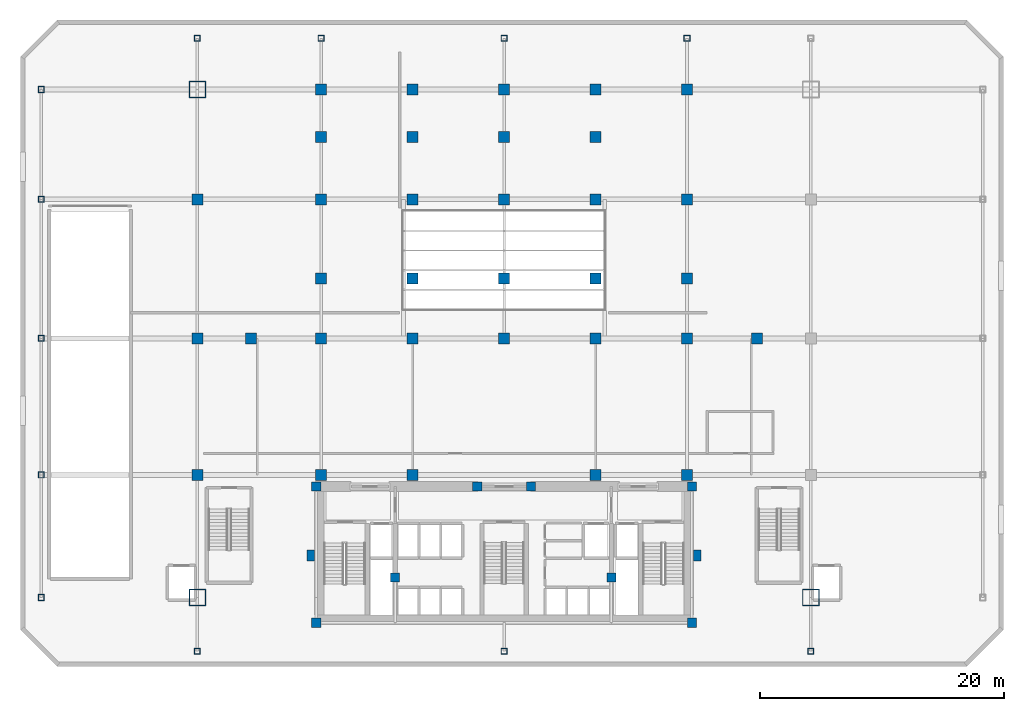
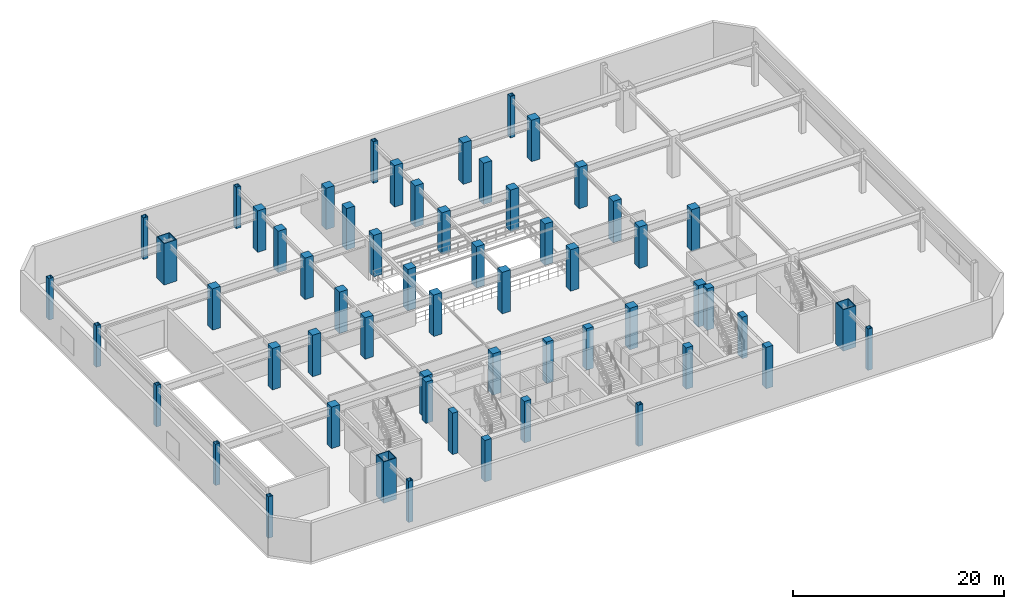
# One storey, part 1 of 10: 58 columns.
"""IFC4 building model written with IfcOpenShell, lengths in metres."""

from ifc_helpers import new_model, si_unit, direction, frame, origin, origin_2d, place, context, subcontext, project, spatial, rectangle, hollow_rectangle, extrude, material, material_profile, profile_set, type_object, element, save


model = new_model("IFC4")

# Units and contexts
model_context = context("Model", 3, precision=1e-05, world=origin(), true_north=direction((0.0, 1.0)))
body_context = subcontext(model_context, "Body", "Model", "MODEL_VIEW")
ifc_project = project(units=[si_unit("LENGTHUNIT", "METRE"), si_unit("AREAUNIT", "SQUARE_METRE"), si_unit("VOLUMEUNIT", "CUBIC_METRE"), si_unit("PLANEANGLEUNIT", "RADIAN"), si_unit("MASSUNIT", "GRAM", prefix="KILO")], contexts=[model_context])

# Site, building, storey
site_placement = place(None, origin())
site = spatial("IfcSite", under=ifc_project, at=site_placement, CompositionType="ELEMENT")
building_placement = place(site_placement, origin())
building = spatial("IfcBuilding", under=site, at=building_placement, Name="Ventersveld Concourse Tower", CompositionType="ELEMENT")
storey_placement = place(building_placement, frame((0.0, 0.0, 15.0)))
storey = spatial("IfcBuildingStorey", under=building, at=storey_placement, Name="L03", CompositionType="ELEMENT", Elevation=15.0)

# Columns
ifc_material_1 = material(Name="Structural steel S355ML", Category="steel")
ifc_material_profile_1 = material_profile(ifc_material_1, hollow_rectangle(XDim=0.5, YDim=0.5, WallThickness=0.031982421875, at=origin_2d()), Name="BOX 500x500x32")
ifc_profile_set_1 = profile_set([ifc_material_profile_1], Name="Structural steel S355ML")
column_type_1 = type_object("IfcColumnType", Name="COL-BOX500", PredefinedType="COLUMN", material=ifc_profile_set_1)
for number, where, z_axis, x_axis, name in (
    (1, (-9.199951171875, 2.35009765625, 0.0), (0.0, 0.0, 1.0), (1.0, 0.0, 0.0), "L03 Podium Perimeter Column 01"),
    (2, (-9.199951171875, 12.39990234375, 0.0), (0.0, 0.0, 1.0), (1.0, 0.0, 0.0), "L03 Podium Perimeter Column 02"),
    (3, (-9.199951171875, 23.60009765625, 0.0), (0.0, 0.0, 1.0), (1.0, 0.0, 0.0), "L03 Podium Perimeter Column 03"),
    (4, (-9.199951171875, 35.0, 0.0), (0.0, 0.0, 1.0), (1.0, 0.0, 0.0), "L03 Podium Perimeter Column 04"),
    (5, (-9.199951171875, 44.0, 0.0), (0.0, 0.0, 1.0), (1.0, 0.0, 0.0), "L03 Podium Perimeter Column 05"),
    (6, (3.60009765625, 48.199951171875, 0.0), (0.0, 0.0, 1.0), (1.0, 0.0, 0.0), "L03 Podium Perimeter Column 11"),
    (7, (13.75, 48.199951171875, 0.0), (0.0, 0.0, 1.0), (1.0, 0.0, 0.0), "L03 Podium Perimeter Column 12"),
    (8, (28.75, 48.199951171875, 0.0), (0.0, 0.0, 1.0), (1.0, 0.0, 0.0), "L03 Podium Perimeter Column 13"),
    (9, (43.75, 48.199951171875, 0.0), (0.0, 0.0, 1.0), (1.0, 0.0, 0.0), "L03 Podium Perimeter Column 14"),
    (10, (3.60009765625, -2.050048828125, 0.0), (0.0, 0.0, 1.0), (1.0, 0.0, 0.0), "L03 Podium Perimeter Column 16"),
    (11, (28.75, -2.050048828125, 0.0), (0.0, 0.0, 1.0), (1.0, 0.0, 0.0), "L03 Podium Perimeter Column 17"),
    (12, (53.89990234375, -2.050048828125, 0.0), (0.0, 0.0, 1.0), (1.0, 0.0, 0.0), "L03 Podium Perimeter Column 18"),
):
    element("IfcColumn", number, at=place(storey_placement, frame(where, z_axis=z_axis, x_axis=x_axis)), inside=storey, type_object=column_type_1, Name=name, PredefinedType="COLUMN", context=body_context, shape_type="SweptSolid", body=[
        extrude(hollow_rectangle(XDim=0.5, YDim=0.5, WallThickness=0.031982421875, at=origin_2d()), origin(), (0.0, 0.0, 1.0), 4.800048828125),
    ])
ifc_material_2 = material(Name="Concrete C50/60", Category="concrete")
ifc_material_profile_2 = material_profile(ifc_material_2, rectangle(XDim=0.75, YDim=0.75, at=origin_2d()), Name="RC 750x750")
ifc_profile_set_2 = profile_set([ifc_material_profile_2], Name="Concrete C50/60")
column_type_2 = type_object("IfcColumnType", Name="COL-RC750", PredefinedType="COLUMN", material=ifc_profile_set_2)
for number, where, z_axis, x_axis, name in (
    (13, (13.35009765625, 0.280029296875, 0.0), (0.0, 0.0, 1.0), (1.0, 0.0, 0.0), "L03 Core Spine Column CC-SW"),
    (14, (44.14990234375, 0.280029296875, 0.0), (0.0, 0.0, 1.0), (1.0, 0.0, 0.0), "L03 Core Spine Column CC-SE"),
    (15, (13.35009765625, 11.449951171875, 0.0), (0.0, 0.0, 1.0), (1.0, 0.0, 0.0), "L03 Core Spine Column CC-NW"),
    (16, (44.14990234375, 11.449951171875, 0.0), (0.0, 0.0, 1.0), (1.0, 0.0, 0.0), "L03 Core Spine Column CC-NE"),
    (17, (19.820068359375, 4.0, 0.0), (0.0, 0.0, 1.0), (1.0, 0.0, 0.0), "L03 Core Spine Column CM-1"),
    (18, (37.550048828125, 4.0, 0.0), (0.0, 0.0, 1.0), (1.0, 0.0, 0.0), "L03 Core Spine Column CM-2"),
    (19, (26.550048828125, 11.449951171875, 0.0), (0.0, 0.0, 1.0), (1.0, 0.0, 0.0), "L03 Core Spine Column CM-3"),
    (20, (30.949951171875, 11.449951171875, 0.0), (0.0, 0.0, 1.0), (1.0, 0.0, 0.0), "L03 Core Spine Column CM-4"),
):
    element("IfcColumn", number, at=place(storey_placement, frame(where, z_axis=z_axis, x_axis=x_axis)), inside=storey, type_object=column_type_2, Name=name, PredefinedType="COLUMN", context=body_context, shape_type="SweptSolid", body=[
        extrude(rectangle(XDim=0.75, YDim=0.75, at=origin_2d()), origin(), (0.0, 0.0, 1.0), 4.800048828125),
    ])
ifc_material_3 = material(Name="Concrete C60/75", Category="concrete")
ifc_material_profile_3 = material_profile(ifc_material_3, rectangle(XDim=0.89990234375, YDim=0.89990234375, at=origin_2d()), Name="RC 900x900")
ifc_profile_set_3 = profile_set([ifc_material_profile_3], Name="Concrete C60/75")
column_type_3 = type_object("IfcColumnType", Name="COL-RC900", PredefinedType="COLUMN", material=ifc_profile_set_3)
for number, where, z_axis, x_axis, name in (
    (21, (3.60009765625, 12.39990234375, 0.0), (0.0, 0.0, 1.0), (1.0, 0.0, 0.0), "L03 Station Grid Column G1B-C"),
    (22, (3.60009765625, 23.60009765625, 0.0), (0.0, 0.0, 1.0), (1.0, 0.0, 0.0), "L03 Station Grid Column G1B-D"),
    (23, (3.60009765625, 35.0, 0.0), (0.0, 0.0, 1.0), (1.0, 0.0, 0.0), "L03 Station Grid Column G1B-E"),
    (24, (13.75, 12.39990234375, 0.0), (0.0, 0.0, 1.0), (1.0, 0.0, 0.0), "L03 Station Grid Column G3-C"),
    (25, (13.75, 23.60009765625, 0.0), (0.0, 0.0, 1.0), (1.0, 0.0, 0.0), "L03 Station Grid Column G3-D"),
    (26, (13.75, 35.0, 0.0), (0.0, 0.0, 1.0), (1.0, 0.0, 0.0), "L03 Station Grid Column G3-E"),
    (27, (13.75, 44.0, 0.0), (0.0, 0.0, 1.0), (1.0, 0.0, 0.0), "L03 Station Grid Column G3-F"),
    (28, (28.75, 23.60009765625, 0.0), (0.0, 0.0, 1.0), (1.0, 0.0, 0.0), "L03 Station Grid Column G5-D"),
    (29, (28.75, 35.0, 0.0), (0.0, 0.0, 1.0), (1.0, 0.0, 0.0), "L03 Station Grid Column G5-E"),
    (30, (28.75, 44.0, 0.0), (0.0, 0.0, 1.0), (1.0, 0.0, 0.0), "L03 Station Grid Column G5-F"),
    (31, (43.75, 12.39990234375, 0.0), (0.0, 0.0, 1.0), (1.0, 0.0, 0.0), "L03 Station Grid Column G7-C"),
    (32, (43.75, 23.60009765625, 0.0), (0.0, 0.0, 1.0), (1.0, 0.0, 0.0), "L03 Station Grid Column G7-D"),
    (33, (43.75, 35.0, 0.0), (0.0, 0.0, 1.0), (1.0, 0.0, 0.0), "L03 Station Grid Column G7-E"),
    (34, (43.75, 44.0, 0.0), (0.0, 0.0, 1.0), (1.0, 0.0, 0.0), "L03 Station Grid Column G7-F"),
    (35, (21.25, 12.39990234375, 0.0), (0.0, 0.0, 1.0), (1.0, 0.0, 0.0), "L03 Station Tower-Line Column G4C"),
    (36, (36.25, 12.39990234375, 0.0), (0.0, 0.0, 1.0), (1.0, 0.0, 0.0), "L03 Station Tower-Line Column G6C"),
    (37, (8.0, 23.60009765625, 0.0), (0.0, 0.0, 1.0), (1.0, 0.0, 0.0), "L03 Station Tower-Line Column G2D"),
    (38, (21.25, 23.60009765625, 0.0), (0.0, 0.0, 1.0), (1.0, 0.0, 0.0), "L03 Station Tower-Line Column G4D"),
    (39, (36.25, 23.60009765625, 0.0), (0.0, 0.0, 1.0), (1.0, 0.0, 0.0), "L03 Station Tower-Line Column G6D"),
    (40, (49.5, 23.60009765625, 0.0), (0.0, 0.0, 1.0), (1.0, 0.0, 0.0), "L03 Station Tower-Line Column G8AD"),
    (41, (13.75, 28.5, 0.0), (0.0, 0.0, 1.0), (1.0, 0.0, 0.0), "L03 Station Tower-Line Column G3DN"),
    (42, (21.25, 28.5, 0.0), (0.0, 0.0, 1.0), (1.0, 0.0, 0.0), "L03 Station Tower-Line Column G4DN"),
    (43, (28.75, 28.5, 0.0), (0.0, 0.0, 1.0), (1.0, 0.0, 0.0), "L03 Station Tower-Line Column G5DN"),
    (44, (36.25, 28.5, 0.0), (0.0, 0.0, 1.0), (1.0, 0.0, 0.0), "L03 Station Tower-Line Column G6DN"),
    (45, (43.75, 28.5, 0.0), (0.0, 0.0, 1.0), (1.0, 0.0, 0.0), "L03 Station Tower-Line Column G7DN"),
    (46, (21.25, 35.0, 0.0), (0.0, 0.0, 1.0), (1.0, 0.0, 0.0), "L03 Station Tower-Line Column G4E"),
    (47, (36.25, 35.0, 0.0), (0.0, 0.0, 1.0), (1.0, 0.0, 0.0), "L03 Station Tower-Line Column G6E"),
    (48, (13.75, 40.1201171875, 0.0), (0.0, 0.0, 1.0), (1.0, 0.0, 0.0), "L03 Station Tower-Line Column G3EM"),
    (49, (21.25, 40.1201171875, 0.0), (0.0, 0.0, 1.0), (1.0, 0.0, 0.0), "L03 Station Tower-Line Column G4EM"),
    (50, (28.75, 40.1201171875, 0.0), (0.0, 0.0, 1.0), (1.0, 0.0, 0.0), "L03 Station Tower-Line Column G5EM"),
    (51, (36.25, 40.1201171875, 0.0), (0.0, 0.0, 1.0), (1.0, 0.0, 0.0), "L03 Station Tower-Line Column G6EM"),
    (52, (21.25, 44.0, 0.0), (0.0, 0.0, 1.0), (1.0, 0.0, 0.0), "L03 Station Tower-Line Column G4F"),
    (53, (36.25, 44.0, 0.0), (0.0, 0.0, 1.0), (1.0, 0.0, 0.0), "L03 Station Tower-Line Column G6F"),
):
    element("IfcColumn", number, at=place(storey_placement, frame(where, z_axis=z_axis, x_axis=x_axis)), inside=storey, type_object=column_type_3, Name=name, PredefinedType="COLUMN", context=body_context, shape_type="SweptSolid", body=[
        extrude(rectangle(XDim=0.89990234375, YDim=0.89990234375, at=origin_2d()), origin(), (0.0, 0.0, 1.0), 4.800048828125),
    ])
ifc_material_4 = material(Name="Structural steel S460ML", Category="steel")
ifc_material_profile_4 = material_profile(ifc_material_4, hollow_rectangle(XDim=1.39990234375, YDim=1.39990234375, WallThickness=0.080078125, at=origin_2d()), Name="BOX 1400x1400x80")
ifc_profile_set_4 = profile_set([ifc_material_profile_4], Name="Structural steel S460ML")
column_type_4 = type_object("IfcColumnType", Name="MC-1400", PredefinedType="USERDEFINED", material=ifc_profile_set_4)
for number, where, z_axis, x_axis, name in (
    (54, (3.60009765625, 2.35009765625, 0.0), (0.0, 0.0, 1.0), (1.0, 0.0, 0.0), "L03 Corner Mega-Column MC-SW"),
    (55, (53.89990234375, 2.35009765625, 0.0), (0.0, 0.0, 1.0), (1.0, 0.0, 0.0), "L03 Corner Mega-Column MC-SE"),
    (56, (3.60009765625, 44.0, 0.0), (0.0, 0.0, 1.0), (1.0, 0.0, 0.0), "L03 Corner Mega-Column MC-NW"),
):
    element("IfcColumn", number, at=place(storey_placement, frame(where, z_axis=z_axis, x_axis=x_axis)), inside=storey, type_object=column_type_4, Name=name, ObjectType="MEGA_COLUMN", PredefinedType="USERDEFINED", context=body_context, shape_type="SweptSolid", body=[
        extrude(hollow_rectangle(XDim=1.39990234375, YDim=1.39990234375, WallThickness=0.080078125, at=origin_2d()), origin(), (0.0, 0.0, 1.0), 4.800048828125),
    ])
ifc_material_profile_5 = material_profile(ifc_material_3, rectangle(XDim=0.60009765625, YDim=0.89990234375, at=origin_2d()), Name="RC 600x900")
ifc_profile_set_5 = profile_set([ifc_material_profile_5], Name="Concrete C60/75")
column_type_5 = type_object("IfcColumnType", Name="PIL-RC600x900", PredefinedType="PILASTER", material=ifc_profile_set_5)
for number, where, z_axis, x_axis, name in (
    (57, (12.89990234375, 5.800048828125, 0.0), (0.0, 0.0, 1.0), (1.0, 0.0, 0.0), "L03 Core Engaged Pilaster PIL-W"),
    (58, (44.60009765625, 5.800048828125, 0.0), (0.0, 0.0, 1.0), (1.0, 0.0, 0.0), "L03 Core Engaged Pilaster PIL-E"),
):
    element("IfcColumn", number, at=place(storey_placement, frame(where, z_axis=z_axis, x_axis=x_axis)), inside=storey, type_object=column_type_5, Name=name, PredefinedType="PILASTER", context=body_context, shape_type="SweptSolid", body=[
        extrude(rectangle(XDim=0.60009765625, YDim=0.89990234375, at=origin_2d()), origin(), (0.0, 0.0, 1.0), 4.800048828125),
    ])

save(model, "model.ifc")
